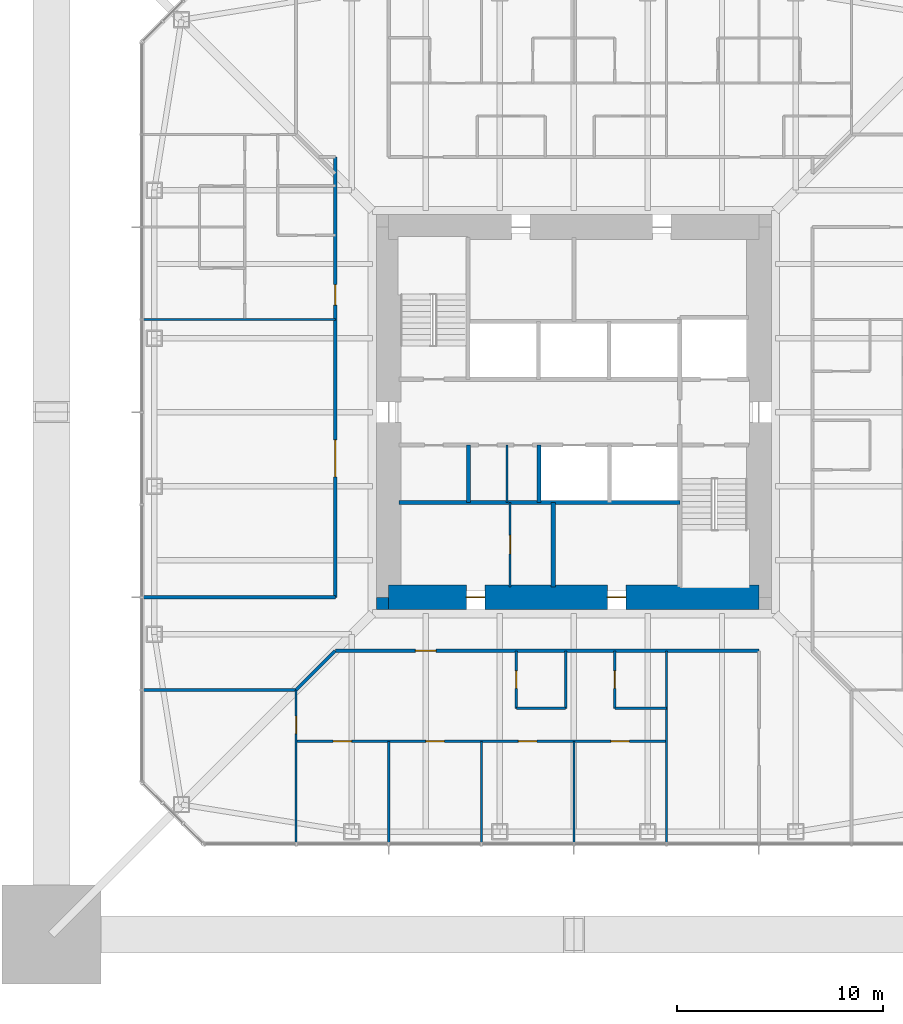
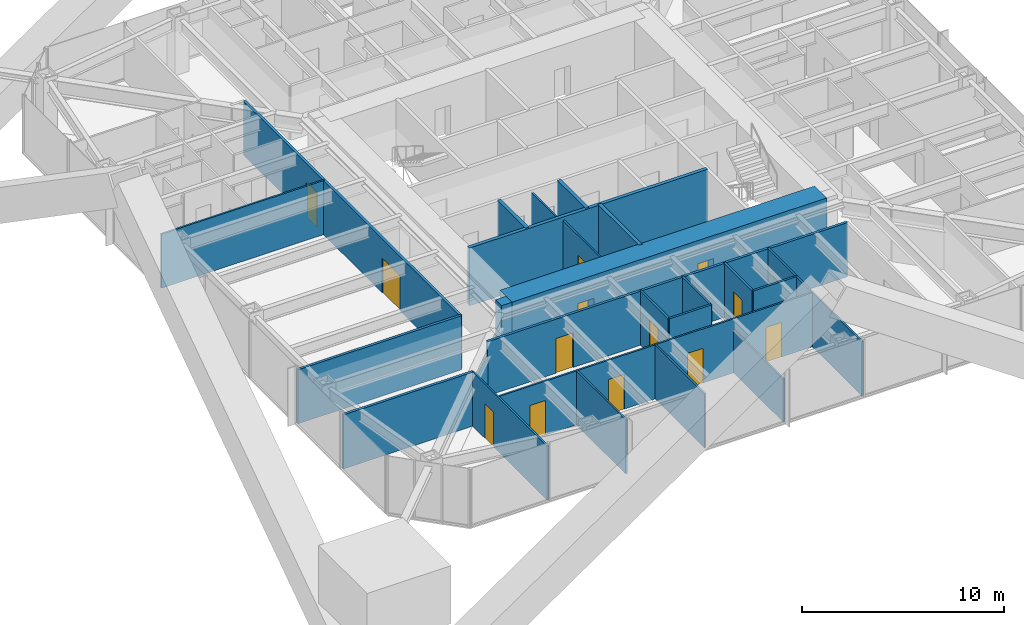
# One storey, part 14 of 26: 25 walls, 13 doors, 13 openings.
"""IFC4 building model written with IfcOpenShell, lengths in metres."""

from ifc_helpers import new_model, si_unit, direction, frame, frame_2d, origin, place, context, subcontext, project, spatial, rectangle, extrude, material, layer, layer_set, type_object, element, fill, save


model = new_model("IFC4")

# Units and contexts
model_context = context("Model", 3, precision=1e-05, world=origin(), true_north=direction((0.0, 1.0)))
body_context = subcontext(model_context, "Body", "Model", "MODEL_VIEW")
ifc_project = project(units=[si_unit("LENGTHUNIT", "METRE"), si_unit("AREAUNIT", "SQUARE_METRE"), si_unit("VOLUMEUNIT", "CUBIC_METRE"), si_unit("PLANEANGLEUNIT", "RADIAN"), si_unit("MASSUNIT", "GRAM", prefix="KILO")], contexts=[model_context])

# Site, building, storey
site_placement = place(None, origin())
site = spatial("IfcSite", under=ifc_project, at=site_placement, CompositionType="ELEMENT")
building_placement = place(site_placement, origin())
building = spatial("IfcBuilding", under=site, at=building_placement, Name="Iwan Alto Co-Living Towers", CompositionType="ELEMENT")
storey_placement = place(building_placement, frame((0.0, 0.0, 115.5)))
storey = spatial("IfcBuildingStorey", under=building, at=storey_placement, Name="L31", CompositionType="ELEMENT", Elevation=115.5)

# Wall
ifc_material_1 = material(Name="Gypsum board")
ifc_layer_1 = layer(ifc_material_1, 0.02490234375, Name="Board", Category="Finish")
ifc_material_2 = material(Name="Steel ASTM A1003 ST33H cold-formed studs", Category="steel")
ifc_layer_2 = layer(ifc_material_2, 0.10009765625, Name="Studs", Category="Framing")
ifc_layer_3 = layer(ifc_material_1, 0.02490234375, Name="Board", Category="Finish")
ifc_layer_set_1 = layer_set([ifc_layer_1, ifc_layer_2, ifc_layer_3], Name="CORRIDOR WALL 150")
wall_type_1 = type_object("IfcWallType", Name="CORRIDOR WALL 150", PredefinedType="PARTITIONING", material=ifc_layer_set_1)
wall_1_placement = place(storey_placement, frame((-20.93994140625, -13.5, 0.0), z_axis=(0.0, 0.0, 1.0), x_axis=(1.0, 0.0, 0.0)))
element("IfcWall", 1, at=wall_1_placement, inside=storey, type_object=wall_type_1, Name="Partition L31", PredefinedType="PARTITIONING", context=body_context, shape_type="SweptSolid", body=[
    extrude(rectangle(XDim=7.43994140625, YDim=0.14990234375, at=frame_2d((3.719970703125, 0.0))), origin(), (0.0, 0.0, 1.0), 3.27001953125),
])

# Wall, opening, door
wall_2_placement = place(storey_placement, frame((-11.60009765625, -11.60009765625, 0.0), z_axis=(0.0, 0.0, 1.0), x_axis=(1.0, 0.0, 0.0)))
wall_2 = element("IfcWall", 2, at=wall_2_placement, inside=storey, type_object=wall_type_1, Name="Partition L31", PredefinedType="PARTITIONING", context=body_context, shape_type="SweptSolid", body=[
    extrude(rectangle(XDim=20.60009765625, YDim=0.14990234375, at=frame_2d((10.300048828125, 0.0))), origin(), (0.0, 0.0, 1.0), 3.27001953125),
])
opening_1_placement = place(wall_2_placement, frame((3.89990234375, 0.0, 0.0)))
opening_1 = element("IfcOpeningElement", 3, at=opening_1_placement, cuts=wall_2, Name="Opening D3", PredefinedType="OPENING", context=body_context, shape_type="SweptSolid", body=[
    extrude(rectangle(XDim=1.0, YDim=2.10009765625, at=frame_2d((0.5, 1.050048828125))), frame((0.0, 0.0849609375, 0.0), z_axis=(0.0, -1.0, 0.0), x_axis=(1.0, 0.0, 0.0)), (0.0, 0.0, 1.0), 0.169921875),
])
ifc_material_3 = material(Name="Steel frame with timber leaf", Category="steel")
door_type_1 = type_object("IfcDoorType", Name="FLAT ENTRANCE DOOR FD30S 1000X2100", OperationType="SINGLE_SWING_LEFT", PredefinedType="DOOR", material=ifc_material_3)
door_1_placement = place(opening_1_placement, frame((1.0, 0.0, 0.0), z_axis=(0.0, 0.0, 1.0), x_axis=(-1.0, 0.0, 0.0)))
door_1 = element("IfcDoor", 4, at=door_1_placement, inside=storey, type_object=door_type_1, Name="Cluster lounge and shared kitchen door L31", OperationType="SINGLE_SWING_LEFT", OverallHeight=2.10009765625, OverallWidth=1.0, PredefinedType="DOOR", context=body_context, shape_type="SweptSolid", body=[
    extrude(rectangle(XDim=1.0, YDim=2.10009765625, at=frame_2d((0.5, 1.050048828125))), frame((0.0, 0.02490234375, 0.0), z_axis=(0.0, -1.0, 0.0), x_axis=(1.0, 0.0, 0.0)), (0.0, 0.0, 1.0), 0.050048828125),
])
fill(opening_1, door_1)

# Walls
wall_3_placement = place(storey_placement, frame((-20.93994140625, -9.0, 0.0), z_axis=(0.0, 0.0, 1.0), x_axis=(1.0, 0.0, 0.0)))
element("IfcWall", 5, at=wall_3_placement, inside=storey, type_object=wall_type_1, Name="Partition L31", PredefinedType="PARTITIONING", context=body_context, shape_type="SweptSolid", body=[
    extrude(rectangle(XDim=9.33984375, YDim=0.14990234375, at=frame_2d((4.669921875, 0.0))), origin(), (0.0, 0.0, 1.0), 3.27001953125),
])
wall_4_placement = place(storey_placement, frame((-13.5, -13.5, 0.0), z_axis=(0.0, 0.0, 1.0), x_axis=(0.707106781187, 0.707106781187, 0.0)))
element("IfcWall", 6, at=wall_4_placement, inside=storey, type_object=wall_type_1, Name="Partition L31", PredefinedType="PARTITIONING", context=body_context, shape_type="SweptSolid", body=[
    extrude(rectangle(XDim=2.686767578125, YDim=0.14990234375, at=frame_2d((1.34326171875, 0.0))), origin(), (0.0, 0.0, 1.0), 2.343017578125),
])

# Wall, openings, doors
wall_5_placement = place(storey_placement, frame((-11.60009765625, -9.0, 0.0), z_axis=(0.0, 0.0, 1.0), x_axis=(0.0, 1.0, 0.0)))
wall_5 = element("IfcWall", 7, at=wall_5_placement, inside=storey, type_object=wall_type_1, Name="Partition L31", PredefinedType="PARTITIONING", context=body_context, shape_type="SweptSolid", body=[
    extrude(rectangle(XDim=21.39990234375, YDim=0.14990234375, at=frame_2d((10.699951171875, 0.0))), origin(), (0.0, 0.0, 1.0), 3.27001953125),
])
opening_2_placement = place(wall_5_placement, frame((14.199951171875, 0.0, 0.0)))
opening_2 = element("IfcOpeningElement", 8, at=opening_2_placement, cuts=wall_5, Name="Opening D3", PredefinedType="OPENING", context=body_context, shape_type="SweptSolid", body=[
    extrude(rectangle(XDim=1.0, YDim=2.10009765625, at=frame_2d((0.5, 1.050048828125))), frame((0.0, 0.0849609375, 0.0), z_axis=(0.0, -1.0, 0.0), x_axis=(1.0, 0.0, 0.0)), (0.0, 0.0, 1.0), 0.169921875),
])
opening_3_placement = place(wall_5_placement, frame((5.85009765625, 0.0, 0.0)))
opening_3 = element("IfcOpeningElement", 9, at=opening_3_placement, cuts=wall_5, Name="Opening D9", PredefinedType="OPENING", context=body_context, shape_type="SweptSolid", body=[
    extrude(rectangle(XDim=1.800048828125, YDim=2.10009765625, at=frame_2d((0.89990234375, 1.050048828125))), frame((0.0, 0.0849609375, 0.0), z_axis=(0.0, -1.0, 0.0), x_axis=(1.0, 0.0, 0.0)), (0.0, 0.0, 1.0), 0.169921875),
])
door_2_placement = place(opening_2_placement, origin())
door_2 = element("IfcDoor", 10, at=door_2_placement, inside=storey, type_object=door_type_1, Name="Cluster lounge door L31", OperationType="SINGLE_SWING_LEFT", OverallHeight=2.10009765625, OverallWidth=1.0, PredefinedType="DOOR", context=body_context, shape_type="SweptSolid", body=[
    extrude(rectangle(XDim=1.0, YDim=2.10009765625, at=frame_2d((0.5, 1.050048828125))), frame((0.0, 0.02490234375, 0.0), z_axis=(0.0, -1.0, 0.0), x_axis=(1.0, 0.0, 0.0)), (0.0, 0.0, 1.0), 0.050048828125),
])
fill(opening_2, door_2)
ifc_material_4 = material(Name="Steel frame with timber leaf", Category="steel")
door_type_2 = type_object("IfcDoorType", Name="LOUNGE DOOR FD30S 1800X2100", OperationType="DOUBLE_DOOR_SINGLE_SWING", PredefinedType="DOOR", material=ifc_material_4)
door_3_placement = place(opening_3_placement, origin())
door_3 = element("IfcDoor", 11, at=door_3_placement, inside=storey, type_object=door_type_2, Name="Study commons door L31", OperationType="DOUBLE_DOOR_SINGLE_SWING", OverallHeight=2.10009765625, OverallWidth=1.800048828125, PredefinedType="DOOR", context=body_context, shape_type="SweptSolid", body=[
    extrude(rectangle(XDim=1.800048828125, YDim=2.10009765625, at=frame_2d((0.89990234375, 1.050048828125))), frame((0.0, 0.02490234375, 0.0), z_axis=(0.0, -1.0, 0.0), x_axis=(1.0, 0.0, 0.0)), (0.0, 0.0, 1.0), 0.050048828125),
])
fill(opening_3, door_3)

ifc_layer_4 = layer(ifc_material_1, 0.012451171875, Name="Board", Category="Finish")
ifc_layer_5 = layer(ifc_material_2, 0.074951171875, Name="Studs", Category="Framing")
ifc_layer_6 = layer(ifc_material_1, 0.012451171875, Name="Board", Category="Finish")
ifc_layer_set_2 = layer_set([ifc_layer_4, ifc_layer_5, ifc_layer_6], Name="PARTITION 100")
wall_type_2 = type_object("IfcWallType", Name="PARTITION 100", PredefinedType="PARTITIONING", material=ifc_layer_set_2)
wall_6_placement = place(storey_placement, frame((-13.5, -16.0, 0.0), z_axis=(0.0, 0.0, 1.0), x_axis=(1.0, 0.0, 0.0)))
wall_6 = element("IfcWall", 12, at=wall_6_placement, inside=storey, type_object=wall_type_2, Name="Partition L31", PredefinedType="PARTITIONING", context=body_context, shape_type="SweptSolid", body=[
    extrude(rectangle(XDim=18.0, YDim=0.10009765625, at=frame_2d((9.0, 0.0))), origin(), (0.0, 0.0, 1.0), 3.27001953125),
])
opening_4_placement = place(wall_6_placement, frame((1.800048828125, 0.0, 0.0)))
opening_4 = element("IfcOpeningElement", 13, at=opening_4_placement, cuts=wall_6, Name="Opening D1", PredefinedType="OPENING", context=body_context, shape_type="SweptSolid", body=[
    extrude(rectangle(XDim=0.89990234375, YDim=2.10009765625, at=frame_2d((0.449951171875, 1.050048828125))), frame((0.0, 0.06005859375, 0.0), z_axis=(0.0, -1.0, 0.0), x_axis=(1.0, 0.0, 0.0)), (0.0, 0.0, 1.0), 0.1201171875),
])
opening_5_placement = place(wall_6_placement, frame((6.300048828125, 0.0, 0.0)))
opening_5 = element("IfcOpeningElement", 14, at=opening_5_placement, cuts=wall_6, Name="Opening D1", PredefinedType="OPENING", context=body_context, shape_type="SweptSolid", body=[
    extrude(rectangle(XDim=0.89990234375, YDim=2.10009765625, at=frame_2d((0.449951171875, 1.050048828125))), frame((0.0, 0.06005859375, 0.0), z_axis=(0.0, -1.0, 0.0), x_axis=(1.0, 0.0, 0.0)), (0.0, 0.0, 1.0), 0.1201171875),
])
opening_6_placement = place(wall_6_placement, frame((10.800048828125, 0.0, 0.0)))
opening_6 = element("IfcOpeningElement", 15, at=opening_6_placement, cuts=wall_6, Name="Opening D1", PredefinedType="OPENING", context=body_context, shape_type="SweptSolid", body=[
    extrude(rectangle(XDim=0.89990234375, YDim=2.10009765625, at=frame_2d((0.449951171875, 1.050048828125))), frame((0.0, 0.06005859375, 0.0), z_axis=(0.0, -1.0, 0.0), x_axis=(1.0, 0.0, 0.0)), (0.0, 0.0, 1.0), 0.1201171875),
])
opening_7_placement = place(wall_6_placement, frame((15.300048828125, 0.0, 0.0)))
opening_7 = element("IfcOpeningElement", 16, at=opening_7_placement, cuts=wall_6, Name="Opening D1", PredefinedType="OPENING", context=body_context, shape_type="SweptSolid", body=[
    extrude(rectangle(XDim=0.89990234375, YDim=2.10009765625, at=frame_2d((0.449951171875, 1.050048828125))), frame((0.0, 0.06005859375, 0.0), z_axis=(0.0, -1.0, 0.0), x_axis=(1.0, 0.0, 0.0)), (0.0, 0.0, 1.0), 0.1201171875),
])
ifc_material_5 = material(Name="Timber leaf in steel frame", Category="steel")
door_type_3 = type_object("IfcDoorType", Name="BEDROOM DOOR 900X2100", OperationType="SINGLE_SWING_LEFT", PredefinedType="DOOR", material=ifc_material_5)
door_4_placement = place(opening_4_placement, origin())
door_4 = element("IfcDoor", 17, at=door_4_placement, inside=storey, type_object=door_type_3, Name="Study bedroom door L31", OperationType="SINGLE_SWING_LEFT", OverallHeight=2.10009765625, OverallWidth=0.89990234375, PredefinedType="DOOR", context=body_context, shape_type="SweptSolid", body=[
    extrude(rectangle(XDim=0.89990234375, YDim=2.10009765625, at=frame_2d((0.449951171875, 1.050048828125))), frame((0.0, 0.02490234375, 0.0), z_axis=(0.0, -1.0, 0.0), x_axis=(1.0, 0.0, 0.0)), (0.0, 0.0, 1.0), 0.050048828125),
])
fill(opening_4, door_4)
door_5_placement = place(opening_5_placement, origin())
door_5 = element("IfcDoor", 18, at=door_5_placement, inside=storey, type_object=door_type_3, Name="Study bedroom door L31", OperationType="SINGLE_SWING_LEFT", OverallHeight=2.10009765625, OverallWidth=0.89990234375, PredefinedType="DOOR", context=body_context, shape_type="SweptSolid", body=[
    extrude(rectangle(XDim=0.89990234375, YDim=2.10009765625, at=frame_2d((0.449951171875, 1.050048828125))), frame((0.0, 0.02490234375, 0.0), z_axis=(0.0, -1.0, 0.0), x_axis=(1.0, 0.0, 0.0)), (0.0, 0.0, 1.0), 0.050048828125),
])
fill(opening_5, door_5)
door_6_placement = place(opening_6_placement, origin())
door_6 = element("IfcDoor", 19, at=door_6_placement, inside=storey, type_object=door_type_3, Name="Study bedroom door L31", OperationType="SINGLE_SWING_RIGHT", OverallHeight=2.10009765625, OverallWidth=0.89990234375, PredefinedType="DOOR", context=body_context, shape_type="SweptSolid", body=[
    extrude(rectangle(XDim=0.89990234375, YDim=2.10009765625, at=frame_2d((0.449951171875, 1.050048828125))), frame((0.0, 0.02490234375, 0.0), z_axis=(0.0, -1.0, 0.0), x_axis=(1.0, 0.0, 0.0)), (0.0, 0.0, 1.0), 0.050048828125),
])
fill(opening_6, door_6)
door_7_placement = place(opening_7_placement, origin())
door_7 = element("IfcDoor", 20, at=door_7_placement, inside=storey, type_object=door_type_3, Name="Study bedroom door L31", OperationType="SINGLE_SWING_RIGHT", OverallHeight=2.10009765625, OverallWidth=0.89990234375, PredefinedType="DOOR", context=body_context, shape_type="SweptSolid", body=[
    extrude(rectangle(XDim=0.89990234375, YDim=2.10009765625, at=frame_2d((0.449951171875, 1.050048828125))), frame((0.0, 0.02490234375, 0.0), z_axis=(0.0, -1.0, 0.0), x_axis=(1.0, 0.0, 0.0)), (0.0, 0.0, 1.0), 0.050048828125),
])
fill(opening_7, door_7)

# Walls
for number, where, z_axis, x_axis, name in (
    (21, (-20.93994140625, 4.5, 0.0), (0.0, 0.0, 1.0), (1.0, 0.0, 0.0), "Partition L31"),
    (22, (4.5, -20.93994140625, 0.0), (0.0, 0.0, 1.0), (0.0, 1.0, 0.0), "Partition L31"),
):
    element("IfcWall", number, at=place(storey_placement, frame(where, z_axis=z_axis, x_axis=x_axis)), inside=storey, type_object=wall_type_2, Name=name, PredefinedType="PARTITIONING", context=body_context, shape_type="SweptSolid", body=[
        extrude(rectangle(XDim=9.33984375, YDim=0.10009765625, at=frame_2d((4.669921875, 0.0))), origin(), (0.0, 0.0, 1.0), 3.27001953125),
    ])
wall_7_placement = place(storey_placement, frame((0.0, -20.93994140625, 0.0), z_axis=(0.0, 0.0, 1.0), x_axis=(0.0, 1.0, 0.0)))
element("IfcWall", 23, at=wall_7_placement, inside=storey, type_object=wall_type_2, Name="Partition L31", PredefinedType="PARTITIONING", context=body_context, shape_type="SweptSolid", body=[
    extrude(rectangle(XDim=4.93994140625, YDim=0.10009765625, at=frame_2d((2.469970703125, 0.0))), origin(), (0.0, 0.0, 1.0), 2.586669921875),
])

# Wall, opening, door
wall_8_placement = place(storey_placement, frame((-3.10009765625, -8.489990234375, 0.0), z_axis=(0.0, 0.0, 1.0), x_axis=(0.0, 1.0, 0.0)))
wall_8 = element("IfcWall", 24, at=wall_8_placement, inside=storey, type_object=wall_type_2, Name="Partition L31", PredefinedType="PARTITIONING", context=body_context, shape_type="SweptSolid", body=[
    extrude(rectangle(XDim=4.090087890625, YDim=0.10009765625, at=frame_2d((2.044921875, 0.0))), origin(), (0.0, 0.0, 1.0), 3.300048828125),
])
opening_8_placement = place(wall_8_placement, frame((1.594970703125, 0.0, 0.0)))
opening_8 = element("IfcOpeningElement", 25, at=opening_8_placement, cuts=wall_8, Name="Opening D16", PredefinedType="OPENING", context=body_context, shape_type="SweptSolid", body=[
    extrude(rectangle(XDim=0.89990234375, YDim=2.10009765625, at=frame_2d((0.449951171875, 1.050048828125))), frame((0.0, 0.06005859375, 0.0), z_axis=(0.0, -1.0, 0.0), x_axis=(1.0, 0.0, 0.0)), (0.0, 0.0, 1.0), 0.1201171875),
])
ifc_material_6 = material(Name="Timber leaf in steel frame", Category="steel")
door_type_4 = type_object("IfcDoorType", Name="CUPBOARD SLIDING DOOR 900X2100", OperationType="SLIDING_TO_LEFT", PredefinedType="DOOR", material=ifc_material_6)
door_8_placement = place(opening_8_placement, origin())
door_8 = element("IfcDoor", 26, at=door_8_placement, inside=storey, type_object=door_type_4, Name="Bulky waste store door L31", OperationType="SLIDING_TO_LEFT", OverallHeight=2.10009765625, OverallWidth=0.89990234375, PredefinedType="DOOR", context=body_context, shape_type="SweptSolid", body=[
    extrude(rectangle(XDim=0.89990234375, YDim=2.10009765625, at=frame_2d((0.449951171875, 1.050048828125))), frame((0.0, 0.02490234375, 0.0), z_axis=(0.0, -1.0, 0.0), x_axis=(1.0, 0.0, 0.0)), (0.0, 0.0, 1.0), 0.050048828125),
])
fill(opening_8, door_8)

# Walls
wall_9_placement = place(storey_placement, frame((-3.240966796875, -4.39990234375, 0.0), z_axis=(0.0, 0.0, 1.0), x_axis=(0.0, 1.0, 0.0)))
element("IfcWall", 27, at=wall_9_placement, inside=storey, type_object=wall_type_2, Name="Partition L31", PredefinedType="PARTITIONING", context=body_context, shape_type="SweptSolid", body=[
    extrude(rectangle(XDim=2.7998046875, YDim=0.10009765625, at=frame_2d((1.39990234375, 0.0))), origin(), (0.0, 0.0, 1.0), 3.300048828125),
])
for number, where, z_axis, x_axis, name in (
    (28, (-4.5, -20.93994140625, 0.0), (0.0, 0.0, 1.0), (0.0, 1.0, 0.0), "Partition L31"),
    (29, (-9.0, -20.93994140625, 0.0), (0.0, 0.0, 1.0), (0.0, 1.0, 0.0), "Partition L31"),
):
    element("IfcWall", number, at=place(storey_placement, frame(where, z_axis=z_axis, x_axis=x_axis)), inside=storey, type_object=wall_type_2, Name=name, PredefinedType="PARTITIONING", context=body_context, shape_type="SweptSolid", body=[
        extrude(rectangle(XDim=4.93994140625, YDim=0.10009765625, at=frame_2d((2.469970703125, 0.0))), origin(), (0.0, 0.0, 1.0), 3.27001953125),
    ])

# Wall, opening, door
wall_10_placement = place(storey_placement, frame((-13.5, -20.93994140625, 0.0), z_axis=(0.0, 0.0, 1.0), x_axis=(0.0, 1.0, 0.0)))
wall_10 = element("IfcWall", 30, at=wall_10_placement, inside=storey, type_object=wall_type_2, Name="Partition L31", PredefinedType="PARTITIONING", context=body_context, shape_type="SweptSolid", body=[
    extrude(rectangle(XDim=7.43994140625, YDim=0.10009765625, at=frame_2d((3.719970703125, 0.0))), origin(), (0.0, 0.0, 1.0), 3.27001953125),
])
opening_9_placement = place(wall_10_placement, frame((5.31494140625, 0.0, 0.0)))
opening_9 = element("IfcOpeningElement", 31, at=opening_9_placement, cuts=wall_10, Name="Opening D2", PredefinedType="OPENING", context=body_context, shape_type="SweptSolid", body=[
    extrude(rectangle(XDim=0.85009765625, YDim=2.10009765625, at=frame_2d((0.425048828125, 1.050048828125))), frame((0.0, 0.06005859375, 0.0), z_axis=(0.0, -1.0, 0.0), x_axis=(1.0, 0.0, 0.0)), (0.0, 0.0, 1.0), 0.1201171875),
])
ifc_material_7 = material(Name="Timber leaf in steel frame", Category="steel")
door_type_5 = type_object("IfcDoorType", Name="ROOM DOOR 850X2100", OperationType="SINGLE_SWING_LEFT", PredefinedType="DOOR", material=ifc_material_7)
door_9_placement = place(opening_9_placement, frame((0.85009765625, 0.0, 0.0), z_axis=(0.0, 0.0, 1.0), x_axis=(-1.0, 0.0, 0.0)))
door_9 = element("IfcDoor", 32, at=door_9_placement, inside=storey, type_object=door_type_5, Name="Study lounge door L31", OperationType="SINGLE_SWING_RIGHT", OverallHeight=2.10009765625, OverallWidth=0.85009765625, PredefinedType="DOOR", context=body_context, shape_type="SweptSolid", body=[
    extrude(rectangle(XDim=0.85009765625, YDim=2.10009765625, at=frame_2d((0.425048828125, 1.050048828125))), frame((0.0, 0.02490234375, 0.0), z_axis=(0.0, -1.0, 0.0), x_axis=(1.0, 0.0, 0.0)), (0.0, 0.0, 1.0), 0.050048828125),
])
fill(opening_9, door_9)

# Walls
ifc_material_8 = material(Name="Concrete f'c 70 MPa", Category="concrete")
ifc_layer_7 = layer(ifc_material_8, 0.199951171875)
ifc_layer_set_3 = layer_set([ifc_layer_7], Name="SHAFT WALL 200")
wall_type_3 = type_object("IfcWallType", Name="SHAFT WALL 200", PredefinedType="SOLIDWALL", material=ifc_layer_set_3)
wall_11_placement = place(storey_placement, frame((-8.489990234375, -4.39990234375, 0.0), z_axis=(0.0, 0.0, 1.0), x_axis=(1.0, 0.0, 0.0)))
element("IfcWall", 33, at=wall_11_placement, inside=storey, type_object=wall_type_3, Name="Shaft wall L31", PredefinedType="SOLIDWALL", context=body_context, shape_type="SweptSolid", body=[
    extrude(rectangle(XDim=13.639892578125, YDim=0.199951171875, at=frame_2d((6.81982421875, 0.0))), origin(), (0.0, 0.0, 1.0), 3.5),
])
wall_12_placement = place(storey_placement, frame((-1.0, -8.489990234375, 0.0), z_axis=(0.0, 0.0, 1.0), x_axis=(0.0, 1.0, 0.0)))
element("IfcWall", 34, at=wall_12_placement, inside=storey, type_object=wall_type_3, Name="Shaft wall L31", PredefinedType="SOLIDWALL", context=body_context, shape_type="SweptSolid", body=[
    extrude(rectangle(XDim=4.090087890625, YDim=0.199951171875, at=frame_2d((2.044921875, 0.0))), origin(), (0.0, 0.0, 1.0), 3.5),
])
for number, where, z_axis, x_axis, name in (
    (35, (-1.699951171875, -4.39990234375, 0.0), (0.0, 0.0, 1.0), (0.0, 1.0, 0.0), "Shaft wall L31"),
    (36, (-5.125, -4.39990234375, 0.0), (0.0, 0.0, 1.0), (0.0, 1.0, 0.0), "Shaft wall L31"),
):
    element("IfcWall", number, at=place(storey_placement, frame(where, z_axis=z_axis, x_axis=x_axis)), inside=storey, type_object=wall_type_3, Name=name, PredefinedType="SOLIDWALL", context=body_context, shape_type="SweptSolid", body=[
        extrude(rectangle(XDim=2.7998046875, YDim=0.199951171875, at=frame_2d((1.39990234375, 0.0))), origin(), (0.0, 0.0, 1.0), 3.5),
    ])
ifc_material_9 = material(Name="Concrete f'c 70 MPa", Category="concrete")
ifc_layer_8 = layer(ifc_material_9, 0.60009765625)
ifc_layer_set_4 = layer_set([ifc_layer_8], Name="T1 CORE CORNER FILL 600")
wall_type_4 = type_object("IfcWallType", Name="T1 CORE CORNER FILL 600", PredefinedType="SOLIDWALL", material=ifc_layer_set_4)
wall_13_placement = place(storey_placement, frame((-9.60009765625, -9.300048828125, 0.0), z_axis=(0.0, 0.0, 1.0), x_axis=(1.0, 0.0, 0.0)))
element("IfcWall", 37, at=wall_13_placement, inside=storey, type_object=wall_type_4, Name="T1 core corner SW L31", PredefinedType="SOLIDWALL", context=body_context, shape_type="SweptSolid", body=[
    extrude(rectangle(XDim=0.60009765625, YDim=0.60009765625, at=frame_2d((0.300048828125, 0.0))), origin(), (0.0, 0.0, 1.0), 3.5),
])

# Wall, openings, doors
ifc_material_10 = material(Name="Concrete f'c 70 MPa", Category="concrete")
ifc_layer_9 = layer(ifc_material_10, 1.199951171875)
ifc_layer_set_5 = layer_set([ifc_layer_9], Name="T1 CORE WALL 1200")
wall_type_5 = type_object("IfcWallType", Name="T1 CORE WALL 1200", PredefinedType="SHEAR", material=ifc_layer_set_5)
wall_14_placement = place(storey_placement, frame((-9.0, -9.0, 0.0), z_axis=(0.0, 0.0, 1.0), x_axis=(1.0, 0.0, 0.0)))
wall_14 = element("IfcWall", 38, at=wall_14_placement, inside=storey, type_object=wall_type_5, Name="T1 core wall S L31", PredefinedType="SHEAR", context=body_context, shape_type="SweptSolid", body=[
    extrude(rectangle(XDim=18.0, YDim=1.199951171875, at=frame_2d((9.0, 0.0))), origin(), (0.0, 0.0, 1.0), 3.5),
])
opening_10_placement = place(wall_14_placement, frame((3.77490234375, 0.0, 0.0)))
opening_10 = element("IfcOpeningElement", 39, at=opening_10_placement, cuts=wall_14, Name="Opening D8", PredefinedType="OPENING", context=body_context, shape_type="SweptSolid", body=[
    extrude(rectangle(XDim=0.89990234375, YDim=2.10009765625, at=frame_2d((0.449951171875, 1.050048828125))), frame((0.0, 0.60986328125, 0.0), z_axis=(0.0, -1.0, 0.0), x_axis=(1.0, 0.0, 0.0)), (0.0, 0.0, 1.0), 1.219970703125),
])
opening_11_placement = place(wall_14_placement, frame((10.625, 0.0, 0.0)))
opening_11 = element("IfcOpeningElement", 40, at=opening_11_placement, cuts=wall_14, Name="Opening D8", PredefinedType="OPENING", context=body_context, shape_type="SweptSolid", body=[
    extrude(rectangle(XDim=0.89990234375, YDim=2.10009765625, at=frame_2d((0.449951171875, 1.050048828125))), frame((0.0, 0.60986328125, 0.0), z_axis=(0.0, -1.0, 0.0), x_axis=(1.0, 0.0, 0.0)), (0.0, 0.0, 1.0), 1.219970703125),
])
ifc_material_11 = material(Name="Steel frame with timber leaf", Category="steel")
door_type_6 = type_object("IfcDoorType", Name="RISER DOOR FD120 900X2100", OperationType="SINGLE_SWING_LEFT", PredefinedType="DOOR", material=ifc_material_11)
door_10_placement = place(opening_10_placement, origin())
door_10 = element("IfcDoor", 41, at=door_10_placement, inside=storey, type_object=door_type_6, Name="Refuse room core door L31", OperationType="SINGLE_SWING_RIGHT", OverallHeight=2.10009765625, OverallWidth=0.89990234375, PredefinedType="DOOR", context=body_context, shape_type="SweptSolid", body=[
    extrude(rectangle(XDim=0.89990234375, YDim=2.10009765625, at=frame_2d((0.449951171875, 1.050048828125))), frame((0.0, 0.02490234375, 0.0), z_axis=(0.0, -1.0, 0.0), x_axis=(1.0, 0.0, 0.0)), (0.0, 0.0, 1.0), 0.050048828125),
])
fill(opening_10, door_10)
door_11_placement = place(opening_11_placement, origin())
door_11 = element("IfcDoor", 42, at=door_11_placement, inside=storey, type_object=door_type_6, Name="Telecom riser core door L31", OperationType="SINGLE_SWING_LEFT", OverallHeight=2.10009765625, OverallWidth=0.89990234375, PredefinedType="DOOR", context=body_context, shape_type="SweptSolid", body=[
    extrude(rectangle(XDim=0.89990234375, YDim=2.10009765625, at=frame_2d((0.449951171875, 1.050048828125))), frame((0.0, 0.02490234375, 0.0), z_axis=(0.0, -1.0, 0.0), x_axis=(1.0, 0.0, 0.0)), (0.0, 0.0, 1.0), 0.050048828125),
])
fill(opening_11, door_11)

# Walls
ifc_material_12 = material(Name="Cement board")
ifc_layer_10 = layer(ifc_material_12, 0.012451171875, Name="Board", Category="Finish")
ifc_layer_11 = layer(ifc_material_2, 0.094970703125, Name="Studs", Category="Framing")
ifc_layer_12 = layer(ifc_material_12, 0.012451171875, Name="Board", Category="Finish")
ifc_layer_set_6 = layer_set([ifc_layer_10, ifc_layer_11, ifc_layer_12], Name="WET AREA PARTITION 120")
wall_type_6 = type_object("IfcWallType", Name="WET AREA PARTITION 120", PredefinedType="PARTITIONING", material=ifc_layer_set_6)
wall_15_placement = place(storey_placement, frame((-2.800048828125, -14.39990234375, 0.0), z_axis=(0.0, 0.0, 1.0), x_axis=(1.0, 0.0, 0.0)))
element("IfcWall", 43, at=wall_15_placement, inside=storey, type_object=wall_type_6, Name="Partition L31", PredefinedType="PARTITIONING", context=body_context, shape_type="SweptSolid", body=[
    extrude(rectangle(XDim=2.400146484375, YDim=0.1201171875, at=frame_2d((1.2001953125, 0.0))), origin(), (0.0, 0.0, 1.0), 3.27001953125),
])
wall_16_placement = place(storey_placement, frame((2.0, -14.39990234375, 0.0), z_axis=(0.0, 0.0, 1.0), x_axis=(1.0, 0.0, 0.0)))
element("IfcWall", 44, at=wall_16_placement, inside=storey, type_object=wall_type_6, Name="Partition L31", PredefinedType="PARTITIONING", context=body_context, shape_type="SweptSolid", body=[
    extrude(rectangle(XDim=2.5, YDim=0.1201171875, at=frame_2d((1.25, 0.0))), origin(), (0.0, 0.0, 1.0), 3.27001953125),
])

# Wall, opening, door
wall_17_placement = place(storey_placement, frame((2.0, -14.39990234375, 0.0), z_axis=(0.0, 0.0, 1.0), x_axis=(0.0, 1.0, 0.0)))
wall_17 = element("IfcWall", 45, at=wall_17_placement, inside=storey, type_object=wall_type_6, Name="Partition L31", PredefinedType="PARTITIONING", context=body_context, shape_type="SweptSolid", body=[
    extrude(rectangle(XDim=2.7998046875, YDim=0.1201171875, at=frame_2d((1.39990234375, 0.0))), origin(), (0.0, 0.0, 1.0), 3.27001953125),
])
opening_12_placement = place(wall_17_placement, frame((0.97509765625, 0.0, 0.0)))
opening_12 = element("IfcOpeningElement", 46, at=opening_12_placement, cuts=wall_17, Name="Opening D2", PredefinedType="OPENING", context=body_context, shape_type="SweptSolid", body=[
    extrude(rectangle(XDim=0.85009765625, YDim=2.10009765625, at=frame_2d((0.425048828125, 1.050048828125))), frame((0.0, 0.070068359375, 0.0), z_axis=(0.0, -1.0, 0.0), x_axis=(1.0, 0.0, 0.0)), (0.0, 0.0, 1.0), 0.14013671875),
])
door_12_placement = place(opening_12_placement, origin())
door_12 = element("IfcDoor", 47, at=door_12_placement, inside=storey, type_object=door_type_5, Name="Laundry door L31", OperationType="SINGLE_SWING_RIGHT", OverallHeight=2.10009765625, OverallWidth=0.85009765625, PredefinedType="DOOR", context=body_context, shape_type="SweptSolid", body=[
    extrude(rectangle(XDim=0.85009765625, YDim=2.10009765625, at=frame_2d((0.425048828125, 1.050048828125))), frame((0.0, 0.02490234375, 0.0), z_axis=(0.0, -1.0, 0.0), x_axis=(1.0, 0.0, 0.0)), (0.0, 0.0, 1.0), 0.050048828125),
])
fill(opening_12, door_12)

# Wall
wall_18_placement = place(storey_placement, frame((-0.39990234375, -14.39990234375, 0.0), z_axis=(0.0, 0.0, 1.0), x_axis=(0.0, 1.0, 0.0)))
element("IfcWall", 48, at=wall_18_placement, inside=storey, type_object=wall_type_6, Name="Partition L31", PredefinedType="PARTITIONING", context=body_context, shape_type="SweptSolid", body=[
    extrude(rectangle(XDim=2.7998046875, YDim=0.1201171875, at=frame_2d((1.39990234375, 0.0))), origin(), (0.0, 0.0, 1.0), 3.27001953125),
])

# Wall, opening, door
wall_19_placement = place(storey_placement, frame((-2.800048828125, -14.39990234375, 0.0), z_axis=(0.0, 0.0, 1.0), x_axis=(0.0, 1.0, 0.0)))
wall_19 = element("IfcWall", 49, at=wall_19_placement, inside=storey, type_object=wall_type_6, Name="Partition L31", PredefinedType="PARTITIONING", context=body_context, shape_type="SweptSolid", body=[
    extrude(rectangle(XDim=2.7998046875, YDim=0.1201171875, at=frame_2d((1.39990234375, 0.0))), origin(), (0.0, 0.0, 1.0), 3.27001953125),
])
opening_13_placement = place(wall_19_placement, frame((0.97509765625, 0.0, 0.0)))
opening_13 = element("IfcOpeningElement", 50, at=opening_13_placement, cuts=wall_19, Name="Opening D2", PredefinedType="OPENING", context=body_context, shape_type="SweptSolid", body=[
    extrude(rectangle(XDim=0.85009765625, YDim=2.10009765625, at=frame_2d((0.425048828125, 1.050048828125))), frame((0.0, 0.070068359375, 0.0), z_axis=(0.0, -1.0, 0.0), x_axis=(1.0, 0.0, 0.0)), (0.0, 0.0, 1.0), 0.14013671875),
])
door_13_placement = place(opening_13_placement, origin())
door_13 = element("IfcDoor", 51, at=door_13_placement, inside=storey, type_object=door_type_5, Name="Accessible bathroom door L31", OperationType="SINGLE_SWING_RIGHT", OverallHeight=2.10009765625, OverallWidth=0.85009765625, PredefinedType="DOOR", context=body_context, shape_type="SweptSolid", body=[
    extrude(rectangle(XDim=0.85009765625, YDim=2.10009765625, at=frame_2d((0.425048828125, 1.050048828125))), frame((0.0, 0.02490234375, 0.0), z_axis=(0.0, -1.0, 0.0), x_axis=(1.0, 0.0, 0.0)), (0.0, 0.0, 1.0), 0.050048828125),
])
fill(opening_13, door_13)

save(model, "model.ifc")
